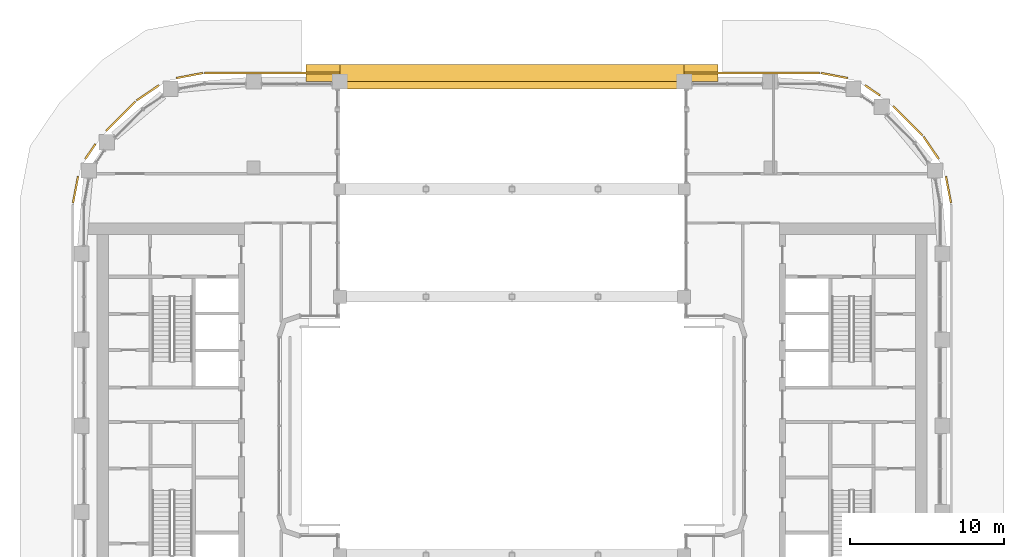
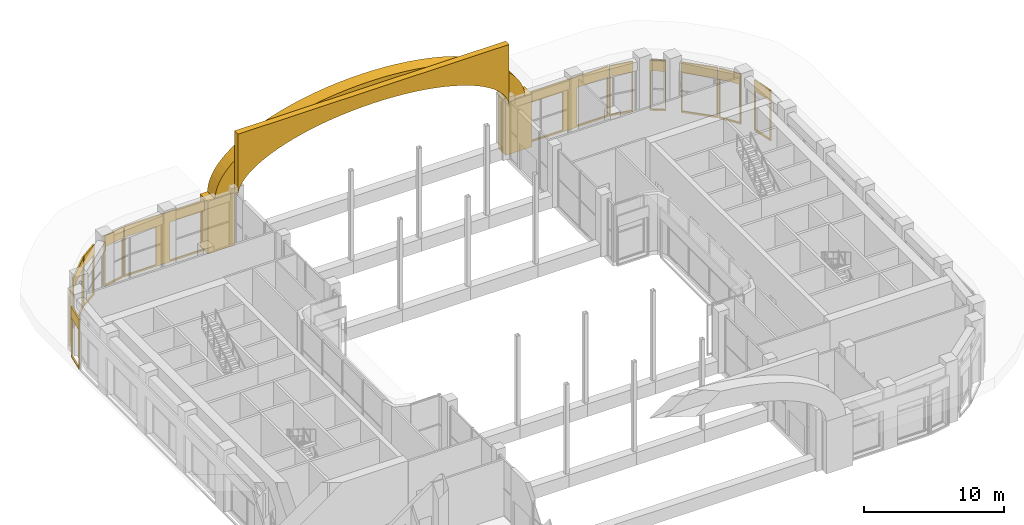
# One storey, part 28 of 28: 16 coverings.
"""IFC4 building model written with IfcOpenShell, lengths in metres."""

from ifc_helpers import new_model, si_unit, direction, frame, origin, origin_2d, place, context, subcontext, project, spatial, polyline, rectangle, outline, extrude, material, layer, layer_set, type_object, element, save


model = new_model("IFC4")

# Units and contexts
model_context = context("Model", 3, precision=1e-05, world=origin(), true_north=direction((0.0, 1.0)))
body_context = subcontext(model_context, "Body", "Model", "MODEL_VIEW")
ifc_project = project(units=[si_unit("LENGTHUNIT", "METRE"), si_unit("AREAUNIT", "SQUARE_METRE"), si_unit("VOLUMEUNIT", "CUBIC_METRE"), si_unit("PLANEANGLEUNIT", "RADIAN"), si_unit("MASSUNIT", "GRAM", prefix="KILO")], contexts=[model_context])

# Site, building, storey
site_placement = place(None, origin())
site = spatial("IfcSite", under=ifc_project, at=site_placement, CompositionType="ELEMENT")
building_placement = place(site_placement, origin())
building = spatial("IfcBuilding", under=site, at=building_placement, Name="Kiln Ring Residences", CompositionType="ELEMENT")
storey_placement = place(building_placement, frame((0.0, 0.0, 178.10009765625)))
storey = spatial("IfcBuildingStorey", under=building, at=storey_placement, Name="L46", CompositionType="ELEMENT", Elevation=178.10009765625)

# Coverings
ifc_material_1 = material(Name="Concrete C35/45, exposed aggregate finish", Category="concrete")
covering_type_1 = type_object("IfcCoveringType", Name="PORTAL ARCHIVOLT 700", PredefinedType="CLADDING", material=ifc_material_1)
covering_1_placement = place(storey_placement, frame((-12.800048828125, 22.949951171875, 4.599853515625), z_axis=(0.0, 0.0, 1.0), x_axis=(1.0, 0.0, 0.0)))
element("IfcCovering", 1, at=covering_1_placement, inside=storey, type_object=covering_type_1, Name="PORTAL ARCHIVOLT L46", PredefinedType="CLADDING", context=body_context, shape_type="SweptSolid", body=[
    extrude(outline(polyline([(25.60009765625, 0.0), (25.560546875, 0.455078125), (25.4423828125, 0.907470703125), (25.246337890625, 1.35400390625), (24.973388671875, 1.792236328125), (24.625732421875, 2.2197265625), (24.204833984375, 2.633056640625), (23.7138671875, 3.030517578125), (23.155517578125, 3.4091796875), (22.533203125, 3.766845703125), (21.85107421875, 4.101318359375), (21.11279296875, 4.410400390625), (20.32373046875, 4.6923828125), (19.488037109375, 4.9453125), (18.611083984375, 5.16796875), (17.6982421875, 5.358642578125), (16.75537109375, 5.51611328125), (15.7880859375, 5.6396484375), (14.802490234375, 5.728759765625), (13.80419921875, 5.7822265625), (12.800048828125, 5.800048828125), (11.795654296875, 5.7822265625), (10.797607421875, 5.728759765625), (9.81201171875, 5.6396484375), (8.844482421875, 5.51611328125), (7.901611328125, 5.358642578125), (6.989013671875, 5.16796875), (6.112060546875, 4.9453125), (5.2763671875, 4.6923828125), (4.487060546875, 4.410400390625), (3.7490234375, 4.101318359375), (3.06689453125, 3.766845703125), (2.444580078125, 3.4091796875), (1.88623046875, 3.030517578125), (1.39501953125, 2.633056640625), (0.974365234375, 2.2197265625), (0.62646484375, 1.792236328125), (0.353759765625, 1.35400390625), (0.15771484375, 0.907470703125), (0.03955078125, 0.455078125), (0.0, 0.0), (1.60009765625, 0.0), (1.634521484375, 0.32958984375), (1.73779296875, 0.656982421875), (1.909423828125, 0.98046875), (2.148193359375, 1.2978515625), (2.452392578125, 1.607421875), (2.82080078125, 1.90673828125), (3.25048828125, 2.194580078125), (3.739013671875, 2.46875), (4.283447265625, 2.727783203125), (4.88037109375, 2.969970703125), (5.526123046875, 3.19384765625), (6.216796875, 3.39794921875), (6.947998046875, 3.5810546875), (7.71533203125, 3.7421875), (8.513916015625, 3.88037109375), (9.339111328125, 3.994384765625), (10.185302734375, 4.083984375), (11.0478515625, 4.1484375), (11.92138671875, 4.187255859375), (12.800048828125, 4.199951171875), (13.6787109375, 4.187255859375), (14.552001953125, 4.1484375), (15.41455078125, 4.083984375), (16.260986328125, 3.994384765625), (17.086181640625, 3.88037109375), (17.884765625, 3.7421875), (18.652099609375, 3.5810546875), (19.38330078125, 3.39794921875), (20.07373046875, 3.19384765625), (20.719482421875, 2.969970703125), (21.31640625, 2.727783203125), (21.861083984375, 2.46875), (22.349609375, 2.194580078125), (22.779296875, 1.90673828125), (23.1474609375, 1.607421875), (23.451904296875, 1.2978515625), (23.6904296875, 0.98046875), (23.862060546875, 0.656982421875), (23.965576171875, 0.32958984375), (24.0, 0.0), (25.60009765625, 0.0)])), frame((0.0, 0.550048828125, 0.0), z_axis=(0.0, -1.0, 0.0), x_axis=(1.0, 0.0, 0.0)), (0.0, 0.0, 1.0), 1.10009765625),
])
ifc_material_2 = material(Name="Concrete C35/45, exposed aggregate finish", Category="concrete")
covering_type_2 = type_object("IfcCoveringType", Name="PORTAL JAMB 1400 x 700", PredefinedType="CLADDING", material=ifc_material_2)
for number, where, z_axis, x_axis, name in (
    (2, (-12.300048828125, 22.949951171875, -0.000244140625), (0.0, 0.0, 1.0), (1.0, 0.0, 0.0), "PORTAL JAMB L46"),
    (3, (12.300048828125, 22.949951171875, -0.000244140625), (0.0, 0.0, 1.0), (1.0, 0.0, 0.0), "PORTAL JAMB L46"),
):
    element("IfcCovering", number, at=place(storey_placement, frame(where, z_axis=z_axis, x_axis=x_axis)), inside=storey, type_object=covering_type_2, Name=name, PredefinedType="CLADDING", context=body_context, shape_type="SweptSolid", body=[
        extrude(rectangle(XDim=2.199951171875, YDim=1.10009765625, at=origin_2d()), origin(), (0.0, 0.0, 1.0), 4.60009765625),
    ])
ifc_material_3 = material(Name="Concrete C35/45, exposed aggregate finish", Category="concrete")
ifc_layer_1 = layer(ifc_material_3, 0.5)
ifc_layer_set_1 = layer_set([ifc_layer_1], Name="PORTAL TYMPANUM 500")
covering_type_3 = type_object("IfcCoveringType", Name="PORTAL TYMPANUM 500", PredefinedType="CLADDING", material=ifc_layer_set_1)
covering_2_placement = place(storey_placement, frame((-11.199951171875, 22.14990234375, 4.599853515625), z_axis=(0.0, 0.0, 1.0), x_axis=(1.0, 0.0, 0.0)))
element("IfcCovering", 4, at=covering_2_placement, inside=storey, type_object=covering_type_3, Name="PORTAL TYMPANUM L46", PredefinedType="CLADDING", context=body_context, shape_type="SweptSolid", body=[
    extrude(outline(polyline([(0.0, 0.0), (0.0, 5.400146484375), (22.39990234375, 5.400146484375), (22.39990234375, 0.0), (22.365478515625, 0.32958984375), (22.26220703125, 0.656982421875), (22.090576171875, 0.98046875), (21.851806640625, 1.2978515625), (21.547607421875, 1.607421875), (21.17919921875, 1.90673828125), (20.74951171875, 2.194580078125), (20.260986328125, 2.46875), (19.716552734375, 2.727783203125), (19.11962890625, 2.969970703125), (18.473876953125, 3.19384765625), (17.783203125, 3.39794921875), (17.052001953125, 3.5810546875), (16.28466796875, 3.7421875), (15.486083984375, 3.88037109375), (14.660888671875, 3.994384765625), (13.814697265625, 4.083984375), (12.9521484375, 4.1484375), (12.07861328125, 4.187255859375), (11.199951171875, 4.199951171875), (10.3212890625, 4.187255859375), (9.447998046875, 4.1484375), (8.58544921875, 4.083984375), (7.739013671875, 3.994384765625), (6.913818359375, 3.88037109375), (6.115234375, 3.7421875), (5.347900390625, 3.5810546875), (4.61669921875, 3.39794921875), (3.92626953125, 3.19384765625), (3.280517578125, 2.969970703125), (2.68359375, 2.727783203125), (2.138916015625, 2.46875), (1.650390625, 2.194580078125), (1.220703125, 1.90673828125), (0.8525390625, 1.607421875), (0.548095703125, 1.2978515625), (0.3095703125, 0.98046875), (0.137939453125, 0.656982421875), (0.034423828125, 0.32958984375), (0.0, 0.0)])), frame((0.0, 0.25, 0.0), z_axis=(0.0, -1.0, 0.0), x_axis=(1.0, 0.0, 0.0)), (0.0, 0.0, 1.0), 0.5),
])
ifc_material_4 = material(Name="Brick masonry, dark clay brick", Category="masonry")
ifc_layer_2 = layer(ifc_material_4, 0.1201171875)
ifc_layer_set_2 = layer_set([ifc_layer_2], Name="RAINSCREEN PANEL 120")
covering_type_4 = type_object("IfcCoveringType", Name="RAINSCREEN PANEL 120", PredefinedType="CLADDING", material=ifc_layer_set_2)
covering_3_placement = place(storey_placement, frame((-11.199951171875, 22.9599609375, 0.0), z_axis=(0.0, 0.0, 1.0), x_axis=(-1.0, 0.0, 0.0)))
element("IfcCovering", 5, at=covering_3_placement, inside=storey, type_object=covering_type_4, Name="RAINSCREEN L46", PredefinedType="CLADDING", context=body_context, shape_type="SweptSolid", body=[
    extrude(outline(polyline([(0.0, 0.0), (8.800048828125, 0.0), (8.800048828125, 4.39990234375), (0.0, 4.39990234375), (0.0, 0.0)]), holes=[polyline([(5.02001953125, 3.469970703125), (0.580078125, 3.469970703125), (0.580078125, 0.1298828125), (5.02001953125, 0.1298828125), (5.02001953125, 3.469970703125)]), polyline([(8.719970703125, 3.469970703125), (6.179931640625, 3.469970703125), (6.179931640625, 0.1298828125), (8.719970703125, 0.1298828125), (8.719970703125, 3.469970703125)])]), frame((0.0, 0.06005859375, 0.0), z_axis=(0.0, -1.0, 0.0), x_axis=(1.0, 0.0, 0.0)), (0.0, 0.0, 1.0), 0.1201171875),
])
for number, where, z_axis, x_axis, name in (
    (6, (-20.10498046875, 22.9501953125, 0.0), (0.0, 0.0, 1.0), (-0.98228010573, -0.187418766104, 0.0), "RAINSCREEN L46"),
    (7, (-22.95947265625, 22.153076171875, 0.0), (0.0, 0.0, 1.0), (-0.82707645233, -0.562089443061, 0.0), "RAINSCREEN L46"),
):
    element("IfcCovering", number, at=place(storey_placement, frame(where, z_axis=z_axis, x_axis=x_axis)), inside=storey, type_object=covering_type_4, Name=name, PredefinedType="CLADDING", context=body_context, shape_type="SweptSolid", body=[
        extrude(outline(polyline([(0.0, 0.0), (1.756103515625, 0.0), (1.756103515625, 4.39990234375), (0.0, 4.39990234375), (0.0, 0.0)]), holes=[polyline([(0.080078125, 3.469970703125), (0.080078125, 0.1298828125), (1.676025390625, 0.1298828125), (1.676025390625, 3.469970703125), (0.080078125, 3.469970703125)])]), frame((0.0, 0.06005859375, 0.0), z_axis=(0.0, -1.0, 0.0), x_axis=(1.0, 0.0, 0.0)), (0.0, 0.0, 1.0), 0.1201171875),
    ])
covering_4_placement = place(storey_placement, frame((-24.492919921875, 21.098876953125, 0.0), z_axis=(0.0, 0.0, 1.0), x_axis=(-0.707151988282, -0.707061571201, 0.0)))
element("IfcCovering", 8, at=covering_4_placement, inside=storey, type_object=covering_type_4, Name="RAINSCREEN L46", PredefinedType="CLADDING", context=body_context, shape_type="SweptSolid", body=[
    extrude(outline(polyline([(0.0, 0.0), (2.699951171875, 0.0), (2.699951171875, 4.39990234375), (0.0, 4.39990234375), (0.0, 0.0)]), holes=[polyline([(0.080078125, 3.469970703125), (0.080078125, 0.1298828125), (2.6201171875, 0.1298828125), (2.6201171875, 3.469970703125), (0.080078125, 3.469970703125)])]), frame((0.0, 0.06005859375, 0.0), z_axis=(0.0, -1.0, 0.0), x_axis=(1.0, 0.0, 0.0)), (0.0, 0.0, 1.0), 0.1201171875),
])
covering_5_placement = place(storey_placement, frame((-27.091552734375, 18.3330078125, 0.0), z_axis=(0.0, 0.0, 1.0), x_axis=(-0.56204904385, -0.827103906596, 0.0)))
element("IfcCovering", 9, at=covering_5_placement, inside=storey, type_object=covering_type_4, Name="RAINSCREEN L46", PredefinedType="CLADDING", context=body_context, shape_type="SweptSolid", body=[
    extrude(outline(polyline([(0.0, 0.0), (1.177001953125, 0.0), (1.177001953125, 4.39990234375), (0.0, 4.39990234375), (0.0, 0.0)]), holes=[polyline([(0.080078125, 3.469970703125), (0.080078125, 0.1298828125), (1.09716796875, 0.1298828125), (1.09716796875, 3.469970703125), (0.080078125, 3.469970703125)])]), frame((0.0, 0.06005859375, 0.0), z_axis=(0.0, -1.0, 0.0), x_axis=(1.0, 0.0, 0.0)), (0.0, 0.0, 1.0), 0.1201171875),
])
for number, where, z_axis, x_axis, name in (
    (10, (-28.220947265625, 16.22998046875, 0.0), (0.0, 0.0, 1.0), (-0.187393173565, -0.982284988433, 0.0), "RAINSCREEN L46"),
    (11, (28.550048828125, 14.5048828125, 0.0), (0.0, 0.0, 1.0), (-0.187393173565, 0.982284988433, 0.0), "RAINSCREEN L46"),
    (12, (27.753173828125, 17.359375, 0.0), (0.0, 0.0, 1.0), (-0.562089443061, 0.82707645233, 0.0), "RAINSCREEN L46"),
):
    element("IfcCovering", number, at=place(storey_placement, frame(where, z_axis=z_axis, x_axis=x_axis)), inside=storey, type_object=covering_type_4, Name=name, PredefinedType="CLADDING", context=body_context, shape_type="SweptSolid", body=[
        extrude(outline(polyline([(0.0, 0.0), (1.756103515625, 0.0), (1.756103515625, 4.39990234375), (0.0, 4.39990234375), (0.0, 0.0)]), holes=[polyline([(0.080078125, 3.469970703125), (0.080078125, 0.1298828125), (1.676025390625, 0.1298828125), (1.676025390625, 3.469970703125), (0.080078125, 3.469970703125)])]), frame((0.0, 0.06005859375, 0.0), z_axis=(0.0, -1.0, 0.0), x_axis=(1.0, 0.0, 0.0)), (0.0, 0.0, 1.0), 0.1201171875),
    ])
covering_6_placement = place(storey_placement, frame((26.698974609375, 18.89306640625, 0.0), z_axis=(0.0, 0.0, 1.0), x_axis=(-0.707106781187, 0.707106781187, 0.0)))
element("IfcCovering", 13, at=covering_6_placement, inside=storey, type_object=covering_type_4, Name="RAINSCREEN L46", PredefinedType="CLADDING", context=body_context, shape_type="SweptSolid", body=[
    extrude(outline(polyline([(0.0, 0.0), (2.699951171875, 0.0), (2.699951171875, 4.39990234375), (0.0, 4.39990234375), (0.0, 0.0)]), holes=[polyline([(0.080078125, 3.469970703125), (0.080078125, 0.1298828125), (2.6201171875, 0.1298828125), (2.6201171875, 3.469970703125), (0.080078125, 3.469970703125)])]), frame((0.0, 0.06005859375, 0.0), z_axis=(0.0, -1.0, 0.0), x_axis=(1.0, 0.0, 0.0)), (0.0, 0.0, 1.0), 0.1201171875),
])
covering_7_placement = place(storey_placement, frame((23.932861328125, 21.491455078125, 0.0), z_axis=(0.0, 0.0, 1.0), x_axis=(-0.827038372833, 0.562145470373, 0.0)))
element("IfcCovering", 14, at=covering_7_placement, inside=storey, type_object=covering_type_4, Name="RAINSCREEN L46", PredefinedType="CLADDING", context=body_context, shape_type="SweptSolid", body=[
    extrude(outline(polyline([(0.0, 0.0), (1.177001953125, 0.0), (1.177001953125, 4.39990234375), (0.0, 4.39990234375), (0.0, 0.0)]), holes=[polyline([(0.080078125, 3.469970703125), (0.080078125, 0.1298828125), (1.09716796875, 0.1298828125), (1.09716796875, 3.469970703125), (0.080078125, 3.469970703125)])]), frame((0.0, 0.06005859375, 0.0), z_axis=(0.0, -1.0, 0.0), x_axis=(1.0, 0.0, 0.0)), (0.0, 0.0, 1.0), 0.1201171875),
])
covering_8_placement = place(storey_placement, frame((21.829833984375, 22.62109375, 0.0), z_axis=(0.0, 0.0, 1.0), x_axis=(-0.98228010573, 0.187418766104, 0.0)))
element("IfcCovering", 15, at=covering_8_placement, inside=storey, type_object=covering_type_4, Name="RAINSCREEN L46", PredefinedType="CLADDING", context=body_context, shape_type="SweptSolid", body=[
    extrude(outline(polyline([(0.0, 0.0), (1.756103515625, 0.0), (1.756103515625, 4.39990234375), (0.0, 4.39990234375), (0.0, 0.0)]), holes=[polyline([(0.080078125, 3.469970703125), (0.080078125, 0.1298828125), (1.676025390625, 0.1298828125), (1.676025390625, 3.469970703125), (0.080078125, 3.469970703125)])]), frame((0.0, 0.06005859375, 0.0), z_axis=(0.0, -1.0, 0.0), x_axis=(1.0, 0.0, 0.0)), (0.0, 0.0, 1.0), 0.1201171875),
])
covering_9_placement = place(storey_placement, frame((20.0, 22.9599609375, 0.0), z_axis=(0.0, 0.0, 1.0), x_axis=(-1.0, 0.0, 0.0)))
element("IfcCovering", 16, at=covering_9_placement, inside=storey, type_object=covering_type_4, Name="RAINSCREEN L46", PredefinedType="CLADDING", context=body_context, shape_type="SweptSolid", body=[
    extrude(outline(polyline([(0.0, 0.0), (8.800048828125, 0.0), (8.800048828125, 4.39990234375), (0.0, 4.39990234375), (0.0, 0.0)]), holes=[polyline([(2.6201171875, 3.469970703125), (0.080078125, 3.469970703125), (0.080078125, 0.1298828125), (2.6201171875, 0.1298828125), (2.6201171875, 3.469970703125)]), polyline([(8.219970703125, 3.469970703125), (3.780029296875, 3.469970703125), (3.780029296875, 0.1298828125), (8.219970703125, 0.1298828125), (8.219970703125, 3.469970703125)])]), frame((0.0, 0.06005859375, 0.0), z_axis=(0.0, -1.0, 0.0), x_axis=(1.0, 0.0, 0.0)), (0.0, 0.0, 1.0), 0.1201171875),
])

save(model, "model.ifc")
